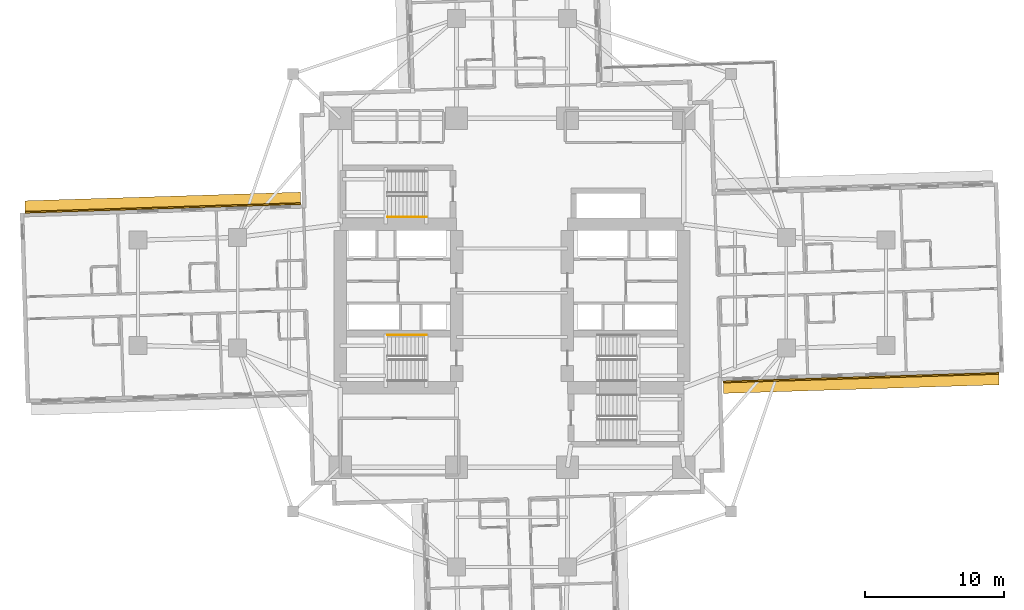
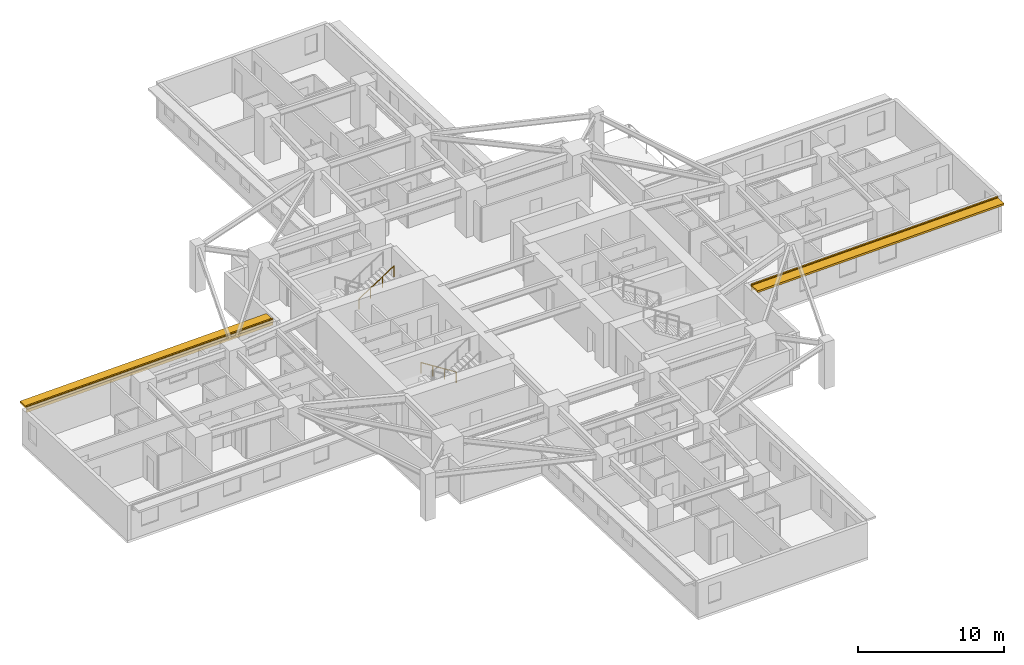
# One storey, part 13 of 15: 2 coverings, 2 railings, 2 shading devices.
"""IFC4 building model written with IfcOpenShell, lengths in metres."""

from ifc_helpers import new_model, si_unit, direction, frame, origin, origin_2d, place, context, subcontext, project, spatial, rectangle, circle, extrude, material, layer, layer_set, type_object, element, save


model = new_model("IFC4")

# Units and contexts
model_context = context("Model", 3, precision=1e-05, world=origin(), true_north=direction((0.0, 1.0)))
body_context = subcontext(model_context, "Body", "Model", "MODEL_VIEW")
ifc_project = project(units=[si_unit("LENGTHUNIT", "METRE"), si_unit("AREAUNIT", "SQUARE_METRE"), si_unit("VOLUMEUNIT", "CUBIC_METRE"), si_unit("PLANEANGLEUNIT", "RADIAN"), si_unit("MASSUNIT", "GRAM", prefix="KILO")], contexts=[model_context])

# Site, building, storey
site_placement = place(None, origin())
site = spatial("IfcSite", under=ifc_project, at=site_placement, CompositionType="ELEMENT")
building_placement = place(site_placement, origin())
building = spatial("IfcBuilding", under=site, at=building_placement, Name="Qingluan Cross Belvedere", CompositionType="ELEMENT")
storey_placement = place(building_placement, frame((0.0, 0.0, 31.5)))
storey = spatial("IfcBuildingStorey", under=building, at=storey_placement, Name="L08", CompositionType="ELEMENT", Elevation=31.5)

# Coverings
ifc_material_1 = material(Name="Precast concrete C45", Category="concrete")
ifc_layer_1 = layer(ifc_material_1, 0.1201171875, Name="ConcreteSpandrelCladding_120")
ifc_layer_set_1 = layer_set([ifc_layer_1], Name="Precast concrete C45")
covering_type = type_object("IfcCoveringType", Name="ConcreteSpandrelCladding_120", PredefinedType="CLADDING", material=ifc_layer_set_1)
for number, where, z_axis, x_axis, name in (
    (1, (25.194580078125, -6.12158203125, 2.449951171875), (0.0, 0.0, 1.0), (0.999506649124, 0.031407934627, 0.0), "Spandrel cladding L08-EA"),
    (2, (-25.194580078125, 6.12158203125, 2.449951171875), (0.0, 0.0, 1.0), (-0.999506649124, -0.031407934627, 0.0), "Spandrel cladding L08-WA"),
):
    element("IfcCovering", number, at=place(storey_placement, frame(where, z_axis=z_axis, x_axis=x_axis)), inside=storey, type_object=covering_type, Name=name, PredefinedType="CLADDING", context=body_context, shape_type="SweptSolid", body=[
        extrude(rectangle(XDim=19.89990234375, YDim=0.1201171875, at=origin_2d()), origin(), (0.0, 0.0, 1.0), 0.52001953125),
    ])

# Shading devices
ifc_material_2 = material(Name="Precast concrete C45", Category="concrete")
ifc_layer_2 = layer(ifc_material_2, 0.159912109375, Name="ConcreteSunshadeBand_900")
ifc_layer_set_2 = layer_set([ifc_layer_2], Name="Precast concrete C45")
shading_device_type = type_object("IfcShadingDeviceType", Name="ConcreteSunshadeBand_900", PredefinedType="USERDEFINED", material=ifc_layer_set_2)
for number, where, z_axis, x_axis, name in (
    (3, (25.206787109375, -6.50146484375, 2.72998046875), (0.0, 0.0, 1.0), (0.999506649124, 0.031407934627, 0.0), "Concrete SUNSHADE L08-EA"),
    (4, (-25.206787109375, 6.50146484375, 2.72998046875), (0.0, 0.0, 1.0), (-0.999506649124, -0.031407934627, 0.0), "Concrete SUNSHADE L08-WA"),
):
    element("IfcShadingDevice", number, at=place(storey_placement, frame(where, z_axis=z_axis, x_axis=x_axis)), inside=storey, type_object=shading_device_type, Name=name, ObjectType="SUNSHADE", PredefinedType="USERDEFINED", context=body_context, shape_type="SweptSolid", body=[
        extrude(rectangle(XDim=19.89990234375, YDim=0.89990234375, at=origin_2d()), origin(), (0.0, 0.0, 1.0), 0.159912109375),
    ])

# Railings
ifc_material_3 = material(Name="Brushed stainless steel tubular handrail", Category="steel")
railing_type = type_object("IfcRailingType", Name="StairPitchHandrail_900", PredefinedType="HANDRAIL", material=ifc_material_3)
railing_1_placement = place(storey_placement, frame((-6.179931640625, -3.050048828125, 0.17724609375)))
element("IfcRailing", 5, at=railing_1_placement, inside=storey, type_object=railing_type, Name="L08 ST1 stair handrail 1", PredefinedType="HANDRAIL", context=body_context, shape_type="SweptSolid", body=[
    extrude(circle(Radius=0.02392578125, at=origin_2d()), frame((0.0, 0.0, 0.8759765625), z_axis=(-0.844908973607, 0.0, 0.534910110503), x_axis=(0.0, -1.0, 0.0)), (0.0, 0.0, 1.0), 3.31396484375),
    extrude(circle(Radius=0.02099609375, at=origin_2d()), origin(), (0.0, 0.0, 1.0), 0.851806640625),
    extrude(circle(Radius=0.02099609375, at=origin_2d()), frame((-0.933349609375, 0.0, 0.5908203125)), (0.0, 0.0, 1.0), 0.851806640625),
    extrude(circle(Radius=0.02099609375, at=origin_2d()), frame((-1.86669921875, 0.0, 1.181884765625)), (0.0, 0.0, 1.0), 0.851806640625),
    extrude(circle(Radius=0.02099609375, at=origin_2d()), frame((-2.800048828125, 0.0, 1.772705078125)), (0.0, 0.0, 1.0), 0.851806640625),
])
railing_2_placement = place(storey_placement, frame((-8.97998046875, 5.469970703125, 2.127197265625)))
element("IfcRailing", 6, at=railing_2_placement, inside=storey, type_object=railing_type, Name="L08 ST3 stair handrail 2", PredefinedType="HANDRAIL", context=body_context, shape_type="SweptSolid", body=[
    extrude(circle(Radius=0.02392578125, at=origin_2d()), frame((0.0, 0.0, 0.8759765625), z_axis=(0.844908973607, 0.0, 0.534910110503), x_axis=(0.0, 1.0, 0.0)), (0.0, 0.0, 1.0), 3.31396484375),
    extrude(circle(Radius=0.02099609375, at=origin_2d()), origin(), (0.0, 0.0, 1.0), 0.851806640625),
    extrude(circle(Radius=0.02099609375, at=origin_2d()), frame((0.933349609375, 0.0, 0.5908203125)), (0.0, 0.0, 1.0), 0.851806640625),
    extrude(circle(Radius=0.02099609375, at=origin_2d()), frame((1.86669921875, 0.0, 1.181884765625)), (0.0, 0.0, 1.0), 0.851806640625),
    extrude(circle(Radius=0.02099609375, at=origin_2d()), frame((2.800048828125, 0.0, 1.772705078125)), (0.0, 0.0, 1.0), 0.851806640625),
])

save(model, "model.ifc")
